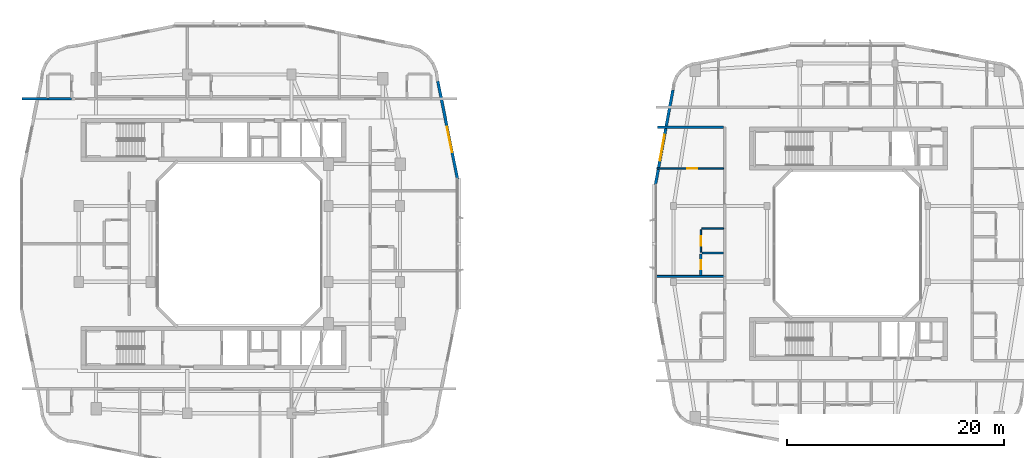
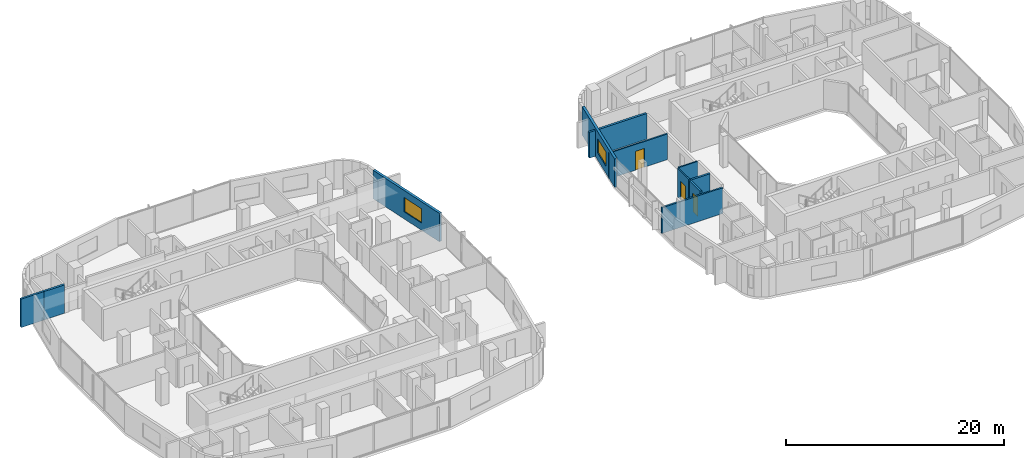
# One storey, part 15 of 26: 11 walls, 3 doors, 2 windows, 5 openings.
"""IFC4 building model written with IfcOpenShell, lengths in metres."""

from ifc_helpers import new_model, si_unit, derived_unit, direction, frame, frame_2d, origin, place, context, subcontext, project, spatial, rectangle, extrude, material, layer, layer_set, type_object, element, fill, save


model = new_model("IFC4")

# Units and contexts
model_context = context("Model", 3, precision=1e-05, world=origin(), true_north=direction((0.0, 1.0)))
body_context = subcontext(model_context, "Body", "Model", "MODEL_VIEW")
ifc_project = project(units=[si_unit("LENGTHUNIT", "METRE"), si_unit("AREAUNIT", "SQUARE_METRE"), si_unit("VOLUMEUNIT", "CUBIC_METRE"), si_unit("PLANEANGLEUNIT", "RADIAN"), si_unit("MASSUNIT", "GRAM", prefix="KILO"), derived_unit("THERMALTRANSMITTANCEUNIT", [(si_unit("POWERUNIT", "WATT"), 1), (si_unit("LENGTHUNIT", "METRE"), -2), (si_unit("THERMODYNAMICTEMPERATUREUNIT", "KELVIN"), -1)])], contexts=[model_context])

# Site, building, storey
site_placement = place(None, origin())
site = spatial("IfcSite", under=ifc_project, at=site_placement, CompositionType="ELEMENT")
building_placement = place(site_placement, origin())
building = spatial("IfcBuilding", under=site, at=building_placement, Name="Kivonza Crest Hotel", CompositionType="ELEMENT")
storey_placement = place(building_placement, frame((0.0, 0.0, 116.0)))
storey = spatial("IfcBuildingStorey", under=building, at=storey_placement, Name="L31", CompositionType="ELEMENT", Elevation=116.0)

# Walls
ifc_material_1 = material(Name="High-density acoustic masonry inter-tenancy wall", Category="masonry")
ifc_layer_1 = layer(ifc_material_1, 0.179931640625)
ifc_layer_set_1 = layer_set([ifc_layer_1], Name="High-density acoustic masonry inter-tenancy wall")
wall_type_1 = type_object("IfcWallType", Name="WL-ACOU-180", PredefinedType="SOLIDWALL", material=ifc_layer_set_1)
wall_1_placement = place(storey_placement, frame((59.260009765625, 22.0, 0.0), z_axis=(0.0, 0.0, 1.0), x_axis=(1.0, 0.0, 0.0)))
element("IfcWall", 1, at=wall_1_placement, inside=storey, type_object=wall_type_1, Name="L31 interior partition WA-L31-T2W-DIV1", PredefinedType="SOLIDWALL", context=body_context, shape_type="SweptSolid", body=[
    extrude(rectangle(XDim=6.43994140625, YDim=0.179931640625, at=frame_2d((3.219970703125, 0.0))), origin(), (0.0, 0.0, 1.0), 2.875),
])
ifc_material_2 = material(Name="Autoclaved aerated concrete blockwork", Category="masonry")
ifc_layer_2 = layer(ifc_material_2, 0.219970703125)
ifc_layer_set_2 = layer_set([ifc_layer_2], Name="Autoclaved aerated concrete blockwork")
wall_type_2 = type_object("IfcWallType", Name="WL-ACOU-220", PredefinedType="SOLIDWALL", material=ifc_layer_set_2)
wall_2_placement = place(storey_placement, frame((0.9599609375, 38.35009765625, 0.0), z_axis=(0.0, 0.0, 1.0), x_axis=(1.0, 0.0, 0.0)))
element("IfcWall", 2, at=wall_2_placement, inside=storey, type_object=wall_type_2, Name="L31 interior partition WA-L31-N01-XCORR", PredefinedType="SOLIDWALL", context=body_context, shape_type="SweptSolid", body=[
    extrude(rectangle(XDim=2.39013671875, YDim=0.219970703125, at=frame_2d((1.195068359375, 0.0))), origin(), (0.0, 0.0, 1.0), 3.179931640625),
])
wall_3_placement = place(storey_placement, frame((3.35009765625, 38.35009765625, 0.0), z_axis=(0.0, 0.0, 1.0), x_axis=(1.0, 0.0, 0.0)))
element("IfcWall", 3, at=wall_3_placement, inside=storey, type_object=wall_type_2, Name="L31 interior partition WA-L31-N01-BCORR", PredefinedType="SOLIDWALL", context=body_context, shape_type="SweptSolid", body=[
    extrude(rectangle(XDim=2.199951171875, YDim=0.219970703125, at=frame_2d((1.10009765625, 0.0))), origin(), (0.0, 0.0, 1.0), 3.179931640625),
])
wall_4_placement = place(storey_placement, frame((59.52001953125, 35.760009765625, 0.0), z_axis=(0.0, 0.0, 1.0), x_axis=(1.0, 0.0, 0.0)))
element("IfcWall", 4, at=wall_4_placement, inside=storey, type_object=wall_type_2, Name="L31 interior partition WA-L31-T2W-ENDN", PredefinedType="SOLIDWALL", context=body_context, shape_type="SweptSolid", body=[
    extrude(rectangle(XDim=6.080078125, YDim=0.219970703125, at=frame_2d((3.0400390625, 0.0))), origin(), (0.0, 0.0, 1.0), 2.875),
])

# Wall, opening, window
ifc_material_3 = material(Name="Precast concrete C40/50", Category="concrete")
ifc_layer_3 = layer(ifc_material_3, 0.260009765625)
ifc_layer_set_3 = layer_set([ifc_layer_3], Name="Precast concrete C40/50")
wall_type_3 = type_object("IfcWallType", Name="WL-EXT-260", PredefinedType="STANDARD", material=ifc_layer_set_3)
wall_5_placement = place(storey_placement, frame((41.083984375, 30.97998046875, 0.0), z_axis=(0.0, 0.0, 1.0), x_axis=(-0.197435082048, 0.980315963543, 0.0)))
wall_5 = element("IfcWall", 5, at=wall_5_placement, inside=storey, type_object=wall_type_3, Name="L31 T1 exterior insulated wall 18", PredefinedType="STANDARD", context=body_context, shape_type="SweptSolid", body=[
    extrude(rectangle(XDim=9.1826171875, YDim=0.260009765625, at=frame_2d((4.59130859375, 0.0))), origin(), (0.0, 0.0, 1.0), 3.179931640625),
])
opening_1_placement = place(wall_5_placement, frame((2.4970703125, 0.0, 0.800048828125)))
opening_1 = element("IfcOpeningElement", 6, at=opening_1_placement, cuts=wall_5, Name="Opening WN-05", PredefinedType="OPENING", context=body_context, shape_type="SweptSolid", body=[
    extrude(rectangle(XDim=2.39990234375, YDim=1.60009765625, at=frame_2d((1.199951171875, 0.800048828125))), frame((0.0, 0.14013671875, 0.0), z_axis=(0.0, -1.0, 0.0), x_axis=(1.0, 0.0, 0.0)), (0.0, 0.0, 1.0), 0.280029296875),
])
ifc_material_4 = material(Name="Thermally broken bronze aluminium and low-E double glazing", Category="aluminium")
window_type = type_object("IfcWindowType", Name="WN-240x160", PartitioningType="TRIPLE_PANEL_VERTICAL", PredefinedType="WINDOW", material=ifc_material_4)
window_1_placement = place(opening_1_placement, origin())
window_1 = element("IfcWindow", 7, at=window_1_placement, inside=storey, type_object=window_type, Name="L31 T1 facade window 18", OverallHeight=1.60009765625, OverallWidth=2.39990234375, PartitioningType="SINGLE_PANEL", PredefinedType="WINDOW", context=body_context, shape_type="SweptSolid", body=[
    extrude(rectangle(XDim=2.39990234375, YDim=1.60009765625, at=frame_2d((1.199951171875, 0.800048828125))), frame((0.0, 0.030029296875, 0.0), z_axis=(0.0, -1.0, 0.0), x_axis=(1.0, 0.0, 0.0)), (0.0, 0.0, 1.0), 0.06005859375),
])
fill(opening_1, window_1)

wall_6_placement = place(storey_placement, frame((60.928955078125, 39.18408203125, 0.0), z_axis=(0.0, 0.0, 1.0), x_axis=(-0.181209963057, -0.983444431215, 0.0)))
wall_6 = element("IfcWall", 8, at=wall_6_placement, inside=storey, type_object=wall_type_3, Name="L31 T2 exterior insulated wall 34", PredefinedType="STANDARD", context=body_context, shape_type="SweptSolid", body=[
    extrude(rectangle(XDim=8.889404296875, YDim=0.260009765625, at=frame_2d((4.44482421875, 0.0))), origin(), (0.0, 0.0, 1.0), 3.179931640625),
])
opening_2_placement = place(wall_6_placement, frame((4.214111328125, 0.0, 0.800048828125)))
opening_2 = element("IfcOpeningElement", 9, at=opening_2_placement, cuts=wall_6, Name="Opening WN-05", PredefinedType="OPENING", context=body_context, shape_type="SweptSolid", body=[
    extrude(rectangle(XDim=2.39990234375, YDim=1.60009765625, at=frame_2d((1.199951171875, 0.800048828125))), frame((0.0, 0.14013671875, 0.0), z_axis=(0.0, -1.0, 0.0), x_axis=(1.0, 0.0, 0.0)), (0.0, 0.0, 1.0), 0.280029296875),
])
window_2_placement = place(opening_2_placement, origin())
window_2 = element("IfcWindow", 10, at=window_2_placement, inside=storey, type_object=window_type, Name="L31 T2 facade window 34", OverallHeight=1.60009765625, OverallWidth=2.39990234375, PartitioningType="SINGLE_PANEL", PredefinedType="WINDOW", context=body_context, shape_type="SweptSolid", body=[
    extrude(rectangle(XDim=2.39990234375, YDim=1.60009765625, at=frame_2d((1.199951171875, 0.800048828125))), frame((0.0, 0.030029296875, 0.0), z_axis=(0.0, -1.0, 0.0), x_axis=(1.0, 0.0, 0.0)), (0.0, 0.0, 1.0), 0.06005859375),
])
fill(opening_2, window_2)

# Wall, opening, door
ifc_material_5 = material(Name="Twin-stud acoustic gypsum board partition", Category="gypsum")
ifc_layer_4 = layer(ifc_material_5, 0.14990234375)
ifc_layer_set_4 = layer_set([ifc_layer_4], Name="Twin-stud acoustic gypsum board partition")
wall_type_4 = type_object("IfcWallType", Name="WL-PART-150", PredefinedType="PARTITIONING", material=ifc_layer_set_4)
wall_7_placement = place(storey_placement, frame((59.4599609375, 31.9599609375, 0.0), z_axis=(0.0, 0.0, 1.0), x_axis=(1.0, 0.0, 0.0)))
wall_7 = element("IfcWall", 11, at=wall_7_placement, inside=storey, type_object=wall_type_4, Name="L31 interior partition WP-L31-A06-BD1", PredefinedType="PARTITIONING", context=body_context, shape_type="SweptSolid", body=[
    extrude(rectangle(XDim=6.14013671875, YDim=0.14990234375, at=frame_2d((3.070068359375, 0.0))), origin(), (0.0, 0.0, 1.0), 2.875),
])
opening_3_placement = place(wall_7_placement, frame((2.7900390625, 0.0, 0.0)))
opening_3 = element("IfcOpeningElement", 12, at=opening_3_placement, cuts=wall_7, Name="Opening DI-90", PredefinedType="OPENING", context=body_context, shape_type="SweptSolid", body=[
    extrude(rectangle(XDim=0.89990234375, YDim=2.10009765625, at=frame_2d((0.449951171875, 1.050048828125))), frame((0.0, 0.0849609375, 0.0), z_axis=(0.0, -1.0, 0.0), x_axis=(1.0, 0.0, 0.0)), (0.0, 0.0, 1.0), 0.169921875),
])
ifc_material_6 = material(Name="Hardwood timber oak", Category="wood")
door_type_1 = type_object("IfcDoorType", Name="DR-INT-900", OperationType="NOTDEFINED", PredefinedType="DOOR", material=ifc_material_6)
door_1_placement = place(opening_3_placement, origin())
door_1 = element("IfcDoor", 13, at=door_1_placement, inside=storey, type_object=door_type_1, Name="L31 A06 bedroom door", OperationType="SINGLE_SWING_LEFT", OverallHeight=2.10009765625, OverallWidth=0.89990234375, PredefinedType="DOOR", context=body_context, shape_type="SweptSolid", body=[
    extrude(rectangle(XDim=0.89990234375, YDim=2.10009765625, at=frame_2d((0.449951171875, 1.050048828125))), frame((0.0, 0.02490234375, 0.0), z_axis=(0.0, -1.0, 0.0), x_axis=(1.0, 0.0, 0.0)), (0.0, 0.0, 1.0), 0.050048828125),
])
fill(opening_3, door_1)

# Wall
wall_8_placement = place(storey_placement, frame((63.60009765625, 26.39990234375, 0.0), z_axis=(0.0, 0.0, 1.0), x_axis=(1.0, 0.0, 0.0)))
element("IfcWall", 14, at=wall_8_placement, inside=storey, type_object=wall_type_4, Name="L31 interior partition WP-L31-A06-KF", PredefinedType="PARTITIONING", context=body_context, shape_type="SweptSolid", body=[
    extrude(rectangle(XDim=2.0, YDim=0.14990234375, at=frame_2d((1.0, 0.0))), origin(), (0.0, 0.0, 1.0), 3.179931640625),
])

# Wall, opening, door
wall_9_placement = place(storey_placement, frame((63.5, 24.25, 0.0), z_axis=(0.0, 0.0, 1.0), x_axis=(0.0, 1.0, 0.0)))
wall_9 = element("IfcWall", 15, at=wall_9_placement, inside=storey, type_object=wall_type_4, Name="L31 interior partition WP-L31-A06-KSVC", PredefinedType="PARTITIONING", context=body_context, shape_type="SweptSolid", body=[
    extrude(rectangle(XDim=2.050048828125, YDim=0.14990234375, at=frame_2d((1.02490234375, 0.0))), origin(), (0.0, 0.0, 1.0), 3.179931640625),
])
opening_4_placement = place(wall_9_placement, frame((0.574951171875, 0.0, 0.0)))
opening_4 = element("IfcOpeningElement", 16, at=opening_4_placement, cuts=wall_9, Name="Opening DI-90", PredefinedType="OPENING", context=body_context, shape_type="SweptSolid", body=[
    extrude(rectangle(XDim=0.89990234375, YDim=2.10009765625, at=frame_2d((0.449951171875, 1.050048828125))), frame((0.0, 0.0849609375, 0.0), z_axis=(0.0, -1.0, 0.0), x_axis=(1.0, 0.0, 0.0)), (0.0, 0.0, 1.0), 0.169921875),
])
door_2_placement = place(opening_4_placement, origin())
door_2 = element("IfcDoor", 17, at=door_2_placement, inside=storey, type_object=door_type_1, Name="L31 A06 apartment kitchen door", OperationType="SINGLE_SWING_RIGHT", OverallHeight=2.10009765625, OverallWidth=0.89990234375, PredefinedType="DOOR", context=body_context, shape_type="SweptSolid", body=[
    extrude(rectangle(XDim=0.89990234375, YDim=2.10009765625, at=frame_2d((0.449951171875, 1.050048828125))), frame((0.0, 0.02490234375, 0.0), z_axis=(0.0, -1.0, 0.0), x_axis=(1.0, 0.0, 0.0)), (0.0, 0.0, 1.0), 0.050048828125),
])
fill(opening_4, door_2)

# Wall
ifc_material_7 = material(Name="Moisture-resistant plumbing chase partition wall", Category="gypsum")
ifc_layer_5 = layer(ifc_material_7, 0.199951171875)
ifc_layer_set_5 = layer_set([ifc_layer_5], Name="Moisture-resistant plumbing chase partition wall")
wall_type_5 = type_object("IfcWallType", Name="WL-PLUMB-200", PredefinedType="PLUMBINGWALL", material=ifc_layer_set_5)
wall_10_placement = place(storey_placement, frame((63.60009765625, 24.14990234375, 0.0), z_axis=(0.0, 0.0, 1.0), x_axis=(1.0, 0.0, 0.0)))
element("IfcWall", 18, at=wall_10_placement, inside=storey, type_object=wall_type_5, Name="L31 interior partition WW-L31-A06-BK", PredefinedType="PLUMBINGWALL", context=body_context, shape_type="SweptSolid", body=[
    extrude(rectangle(XDim=2.0, YDim=0.199951171875, at=frame_2d((1.0, 0.0))), origin(), (0.0, 0.0, 1.0), 3.179931640625),
])

# Wall, opening, door
wall_11_placement = place(storey_placement, frame((63.5, 22.10009765625, 0.0), z_axis=(0.0, 0.0, 1.0), x_axis=(0.0, 1.0, 0.0)))
wall_11 = element("IfcWall", 19, at=wall_11_placement, inside=storey, type_object=wall_type_5, Name="L31 interior partition WW-L31-A06-BSVC", PredefinedType="PLUMBINGWALL", context=body_context, shape_type="SweptSolid", body=[
    extrude(rectangle(XDim=1.949951171875, YDim=0.199951171875, at=frame_2d((0.97509765625, 0.0))), origin(), (0.0, 0.0, 1.0), 3.179931640625),
])
opening_5_placement = place(wall_11_placement, frame((0.550048828125, 0.0, 0.0)))
opening_5 = element("IfcOpeningElement", 20, at=opening_5_placement, cuts=wall_11, Name="Opening DI-85", PredefinedType="OPENING", context=body_context, shape_type="SweptSolid", body=[
    extrude(rectangle(XDim=0.85009765625, YDim=2.10009765625, at=frame_2d((0.425048828125, 1.050048828125))), frame((0.0, 0.10986328125, 0.0), z_axis=(0.0, -1.0, 0.0), x_axis=(1.0, 0.0, 0.0)), (0.0, 0.0, 1.0), 0.219970703125),
])
door_type_2 = type_object("IfcDoorType", Name="DR-INT-850", OperationType="NOTDEFINED", PredefinedType="DOOR", material=ifc_material_6)
door_3_placement = place(opening_5_placement, origin())
door_3 = element("IfcDoor", 21, at=door_3_placement, inside=storey, type_object=door_type_2, Name="L31 A06 apartment bathroom door", OperationType="SINGLE_SWING_LEFT", OverallHeight=2.10009765625, OverallWidth=0.85009765625, PredefinedType="DOOR", context=body_context, shape_type="SweptSolid", body=[
    extrude(rectangle(XDim=0.85009765625, YDim=2.10009765625, at=frame_2d((0.425048828125, 1.050048828125))), frame((0.0, 0.02490234375, 0.0), z_axis=(0.0, -1.0, 0.0), x_axis=(1.0, 0.0, 0.0)), (0.0, 0.0, 1.0), 0.050048828125),
])
fill(opening_5, door_3)

save(model, "model.ifc")
